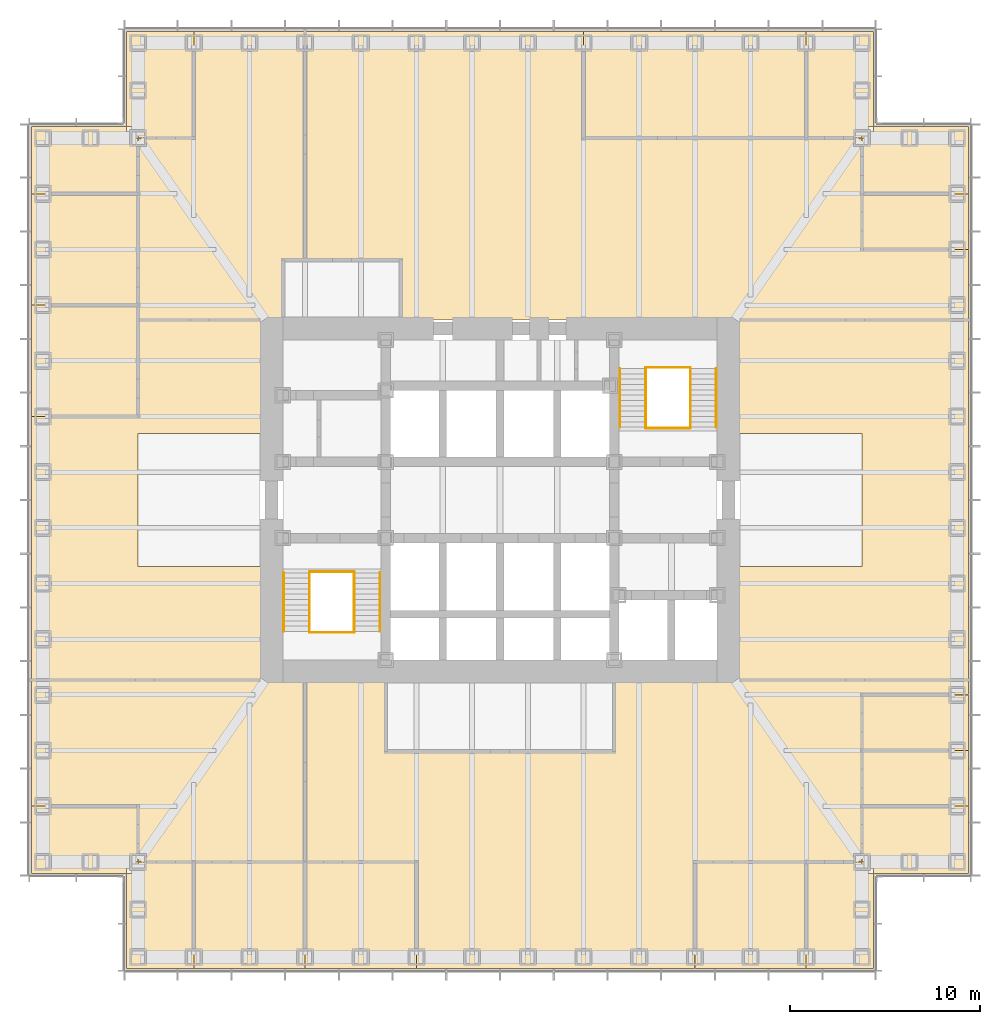
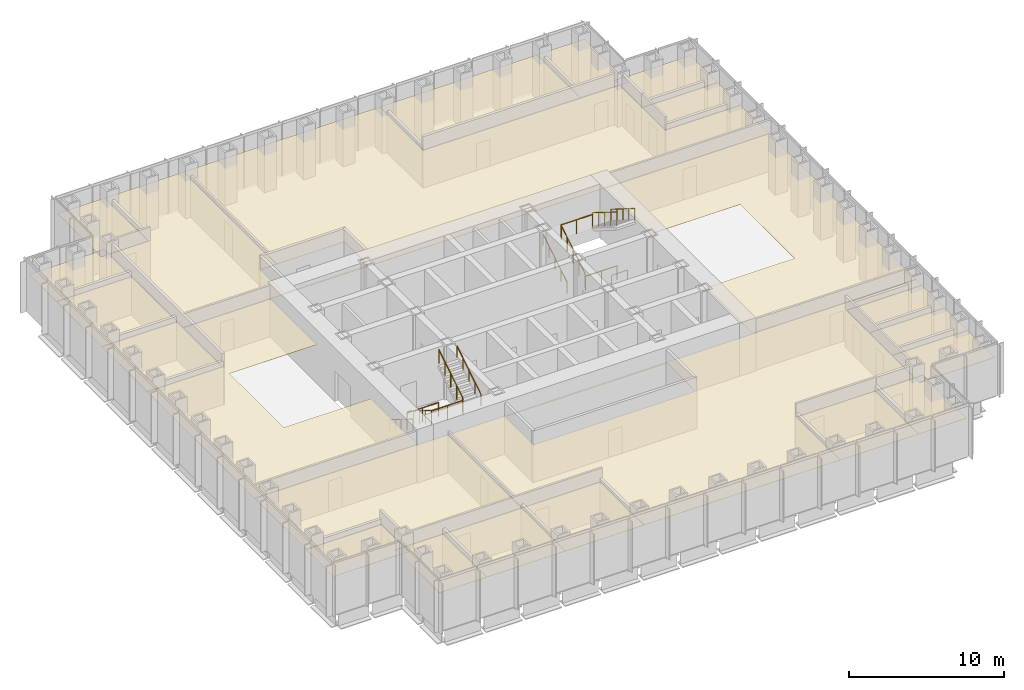
# One storey, part 17 of 17: 23 coverings, 12 railings.
"""IFC4 building model written with IfcOpenShell, lengths in metres."""

from ifc_helpers import new_model, si_unit, direction, frame, origin, origin_2d, place, context, subcontext, project, spatial, polyline, circle, outline, extrude, material, layer, layer_set, type_object, element, save


model = new_model("IFC4")

# Units and contexts
model_context = context("Model", 3, precision=1e-05, world=origin(), true_north=direction((0.0, 1.0)))
body_context = subcontext(model_context, "Body", "Model", "MODEL_VIEW")
ifc_project = project(units=[si_unit("LENGTHUNIT", "METRE"), si_unit("AREAUNIT", "SQUARE_METRE"), si_unit("VOLUMEUNIT", "CUBIC_METRE"), si_unit("PLANEANGLEUNIT", "RADIAN"), si_unit("MASSUNIT", "GRAM", prefix="KILO")], contexts=[model_context])

# Site, building, storey
site_placement = place(None, origin())
site = spatial("IfcSite", under=ifc_project, at=site_placement, CompositionType="ELEMENT")
building_placement = place(site_placement, origin())
building = spatial("IfcBuilding", under=site, at=building_placement, Name="Daluyong Arena Tower", CompositionType="ELEMENT")
storey_placement = place(building_placement, frame((0.0, 0.0, 85.300048828125)))
storey = spatial("IfcBuildingStorey", under=building, at=storey_placement, Name="L18", CompositionType="ELEMENT", Elevation=85.300048828125)

# Coverings
ifc_material_1 = material(Name="Mineral fibre ceiling tile", Category="gypsum board")
ifc_layer = layer(ifc_material_1, 0.02001953125)
ifc_layer_set = layer_set([ifc_layer], Name="Mineral fibre ceiling tile")
covering_type = type_object("IfcCoveringType", Name="Office ceiling", PredefinedType="CEILING", material=ifc_layer_set)
covering_1_placement = place(storey_placement, frame((0.0, 0.0, 2.89990234375)))
element("IfcCovering", 1, at=covering_1_placement, inside=storey, type_object=covering_type, Name="ceiling L18-01", PredefinedType="CEILING", context=body_context, shape_type="SweptSolid", body=[
    extrude(outline(polyline([(36.39990234375, 60.39990234375), (36.39990234375, 55.39990234375), (39.923095703125, 55.39990234375), (39.923095703125, 61.0), (37.0, 61.0), (37.0, 60.39990234375), (36.39990234375, 60.39990234375)])), origin(), (0.0, 0.0, 1.0), 0.02001953125),
])
covering_2_placement = place(storey_placement, frame((0.0, 0.0, 2.89990234375)))
element("IfcCovering", 2, at=covering_2_placement, inside=storey, type_object=covering_type, Name="ceiling L18-02", PredefinedType="CEILING", context=body_context, shape_type="SweptSolid", body=[
    extrude(outline(polyline([(39.923095703125, 61.0), (39.923095703125, 55.39990234375), (45.769287109375, 55.39990234375), (45.769287109375, 61.0), (39.923095703125, 61.0)])), origin(), (0.0, 0.0, 1.0), 0.02001953125),
])
covering_3_placement = place(storey_placement, frame((0.0, 0.0, 2.89990234375)))
element("IfcCovering", 3, at=covering_3_placement, inside=storey, type_object=covering_type, Name="ceiling L18-03", PredefinedType="CEILING", context=body_context, shape_type="SweptSolid", body=[
    extrude(outline(polyline([(45.769287109375, 61.0), (45.769287109375, 55.39990234375), (51.615478515625, 55.39990234375), (51.615478515625, 61.0), (45.769287109375, 61.0)])), origin(), (0.0, 0.0, 1.0), 0.02001953125),
])
covering_4_placement = place(storey_placement, frame((0.0, 0.0, 2.89990234375)))
element("IfcCovering", 4, at=covering_4_placement, inside=storey, type_object=covering_type, Name="ceiling L18-04", PredefinedType="CEILING", context=body_context, shape_type="SweptSolid", body=[
    extrude(outline(polyline([(66.230712890625, 61.0), (66.230712890625, 55.39990234375), (72.076904296875, 55.39990234375), (72.076904296875, 61.0), (66.230712890625, 61.0)])), origin(), (0.0, 0.0, 1.0), 0.02001953125),
])
covering_5_placement = place(storey_placement, frame((0.0, 0.0, 2.89990234375)))
element("IfcCovering", 5, at=covering_5_placement, inside=storey, type_object=covering_type, Name="ceiling L18-05", PredefinedType="CEILING", context=body_context, shape_type="SweptSolid", body=[
    extrude(outline(polyline([(75.60009765625, 55.39990234375), (75.60009765625, 60.39990234375), (75.0, 60.39990234375), (75.0, 61.0), (72.076904296875, 61.0), (72.076904296875, 55.39990234375), (75.60009765625, 55.39990234375)])), origin(), (0.0, 0.0, 1.0), 0.02001953125),
])
covering_6_placement = place(storey_placement, frame((0.0, 0.0, 2.89990234375)))
element("IfcCovering", 6, at=covering_6_placement, inside=storey, type_object=covering_type, Name="ceiling L18-06", PredefinedType="CEILING", context=body_context, shape_type="SweptSolid", body=[
    extrude(outline(polyline([(75.60009765625, 60.39990234375), (80.60009765625, 60.39990234375), (80.60009765625, 63.923095703125), (75.0, 63.923095703125), (75.0, 61.0), (75.60009765625, 61.0), (75.60009765625, 60.39990234375)])), origin(), (0.0, 0.0, 1.0), 0.02001953125),
])
covering_7_placement = place(storey_placement, frame((0.0, 0.0, 2.89990234375)))
element("IfcCovering", 7, at=covering_7_placement, inside=storey, type_object=covering_type, Name="ceiling L18-07", PredefinedType="CEILING", context=body_context, shape_type="SweptSolid", body=[
    extrude(outline(polyline([(75.0, 63.923095703125), (80.60009765625, 63.923095703125), (80.60009765625, 66.84619140625), (75.0, 66.84619140625), (75.0, 63.923095703125)])), origin(), (0.0, 0.0, 1.0), 0.02001953125),
])
covering_8_placement = place(storey_placement, frame((0.0, 0.0, 2.89990234375)))
element("IfcCovering", 8, at=covering_8_placement, inside=storey, type_object=covering_type, Name="ceiling L18-08", PredefinedType="CEILING", context=body_context, shape_type="SweptSolid", body=[
    extrude(outline(polyline([(75.0, 66.84619140625), (80.60009765625, 66.84619140625), (80.60009765625, 69.769287109375), (75.0, 69.769287109375), (75.0, 66.84619140625)])), origin(), (0.0, 0.0, 1.0), 0.02001953125),
])
covering_9_placement = place(storey_placement, frame((0.0, 0.0, 2.89990234375)))
element("IfcCovering", 9, at=covering_9_placement, inside=storey, type_object=covering_type, Name="ceiling L18-09", PredefinedType="CEILING", context=body_context, shape_type="SweptSolid", body=[
    extrude(outline(polyline([(75.0, 93.15380859375), (80.60009765625, 93.15380859375), (80.60009765625, 96.076904296875), (75.0, 96.076904296875), (75.0, 93.15380859375)])), origin(), (0.0, 0.0, 1.0), 0.02001953125),
])
covering_10_placement = place(storey_placement, frame((0.0, 0.0, 2.89990234375)))
element("IfcCovering", 10, at=covering_10_placement, inside=storey, type_object=covering_type, Name="ceiling L18-10", PredefinedType="CEILING", context=body_context, shape_type="SweptSolid", body=[
    extrude(outline(polyline([(75.0, 96.076904296875), (80.60009765625, 96.076904296875), (80.60009765625, 99.60009765625), (75.60009765625, 99.60009765625), (75.60009765625, 99.0), (75.0, 99.0), (75.0, 96.076904296875)])), origin(), (0.0, 0.0, 1.0), 0.02001953125),
])
covering_11_placement = place(storey_placement, frame((0.0, 0.0, 2.89990234375)))
element("IfcCovering", 11, at=covering_11_placement, inside=storey, type_object=covering_type, Name="ceiling L18-11", PredefinedType="CEILING", context=body_context, shape_type="SweptSolid", body=[
    extrude(outline(polyline([(39.923095703125, 99.0), (39.923095703125, 104.60009765625), (36.39990234375, 104.60009765625), (36.39990234375, 99.60009765625), (37.0, 99.60009765625), (37.0, 99.0), (39.923095703125, 99.0)])), origin(), (0.0, 0.0, 1.0), 0.02001953125),
])
covering_12_placement = place(storey_placement, frame((0.0, 0.0, 2.89990234375)))
element("IfcCovering", 12, at=covering_12_placement, inside=storey, type_object=covering_type, Name="ceiling L18-12", PredefinedType="CEILING", context=body_context, shape_type="SweptSolid", body=[
    extrude(outline(polyline([(72.076904296875, 99.0), (72.076904296875, 104.60009765625), (60.384521484375, 104.60009765625), (60.384521484375, 99.0), (72.076904296875, 99.0)])), origin(), (0.0, 0.0, 1.0), 0.02001953125),
])
covering_13_placement = place(storey_placement, frame((0.0, 0.0, 2.89990234375)))
element("IfcCovering", 13, at=covering_13_placement, inside=storey, type_object=covering_type, Name="ceiling L18-13", PredefinedType="CEILING", context=body_context, shape_type="SweptSolid", body=[
    extrude(outline(polyline([(72.076904296875, 99.0), (75.0, 99.0), (75.0, 99.60009765625), (75.60009765625, 99.60009765625), (75.60009765625, 104.60009765625), (72.076904296875, 104.60009765625), (72.076904296875, 99.0)])), origin(), (0.0, 0.0, 1.0), 0.02001953125),
])
covering_14_placement = place(storey_placement, frame((0.0, 0.0, 2.89990234375)))
element("IfcCovering", 14, at=covering_14_placement, inside=storey, type_object=covering_type, Name="ceiling L18-14", PredefinedType="CEILING", context=body_context, shape_type="SweptSolid", body=[
    extrude(outline(polyline([(31.39990234375, 60.39990234375), (36.39990234375, 60.39990234375), (36.39990234375, 61.0), (37.0, 61.0), (37.0, 63.923095703125), (31.39990234375, 63.923095703125), (31.39990234375, 60.39990234375)])), origin(), (0.0, 0.0, 1.0), 0.02001953125),
])
covering_15_placement = place(storey_placement, frame((0.0, 0.0, 2.89990234375)))
element("IfcCovering", 15, at=covering_15_placement, inside=storey, type_object=covering_type, Name="ceiling L18-15", PredefinedType="CEILING", context=body_context, shape_type="SweptSolid", body=[
    extrude(outline(polyline([(37.0, 90.230712890625), (31.39990234375, 90.230712890625), (31.39990234375, 84.384521484375), (37.0, 84.384521484375), (37.0, 90.230712890625)])), origin(), (0.0, 0.0, 1.0), 0.02001953125),
])
covering_16_placement = place(storey_placement, frame((0.0, 0.0, 2.89990234375)))
element("IfcCovering", 16, at=covering_16_placement, inside=storey, type_object=covering_type, Name="ceiling L18-16", PredefinedType="CEILING", context=body_context, shape_type="SweptSolid", body=[
    extrude(outline(polyline([(37.0, 96.076904296875), (31.39990234375, 96.076904296875), (31.39990234375, 90.230712890625), (37.0, 90.230712890625), (37.0, 96.076904296875)])), origin(), (0.0, 0.0, 1.0), 0.02001953125),
])
covering_17_placement = place(storey_placement, frame((0.0, 0.0, 2.89990234375)))
element("IfcCovering", 17, at=covering_17_placement, inside=storey, type_object=covering_type, Name="ceiling L18-17", PredefinedType="CEILING", context=body_context, shape_type="SweptSolid", body=[
    extrude(outline(polyline([(37.0, 96.076904296875), (37.0, 99.0), (36.39990234375, 99.0), (36.39990234375, 99.60009765625), (31.39990234375, 99.60009765625), (31.39990234375, 96.076904296875), (37.0, 96.076904296875)])), origin(), (0.0, 0.0, 1.0), 0.02001953125),
])
covering_18_placement = place(storey_placement, frame((0.0, 0.0, 2.89990234375)))
element("IfcCovering", 18, at=covering_18_placement, inside=storey, type_object=covering_type, Name="ceiling L18-22", PredefinedType="CEILING", context=body_context, shape_type="SweptSolid", body=[
    extrude(outline(polyline([(80.60009765625, 70.550048828125), (80.60009765625, 89.449951171875), (68.449951171875, 89.449951171875), (68.449951171875, 83.5), (75.0, 83.5), (75.0, 76.5), (68.449951171875, 76.5), (68.449951171875, 70.550048828125), (80.60009765625, 70.550048828125)])), origin(), (0.0, 0.0, 1.0), 0.02001953125),
])
covering_19_placement = place(storey_placement, frame((0.0, 0.0, 2.89990234375)))
element("IfcCovering", 19, at=covering_19_placement, inside=storey, type_object=covering_type, Name="ceiling L18-23", PredefinedType="CEILING", context=body_context, shape_type="SweptSolid", body=[
    extrude(outline(polyline([(31.39990234375, 84.384521484375), (31.39990234375, 70.550048828125), (43.550048828125, 70.550048828125), (43.550048828125, 76.5), (37.0, 76.5), (37.0, 83.5), (43.550048828125, 83.5), (43.550048828125, 89.449951171875), (37.0, 89.449951171875), (37.0, 84.384521484375), (31.39990234375, 84.384521484375)])), origin(), (0.0, 0.0, 1.0), 0.02001953125),
])
covering_20_placement = place(storey_placement, frame((0.0, 0.0, 2.89990234375)))
element("IfcCovering", 20, at=covering_20_placement, inside=storey, type_object=covering_type, Name="ceiling L18-24", PredefinedType="CEILING", context=body_context, shape_type="SweptSolid", body=[
    extrude(outline(polyline([(37.010009765625, 61.010009765625), (45.75927734375, 61.010009765625), (45.75927734375, 70.5400390625), (31.409912109375, 70.5400390625), (31.409912109375, 63.93310546875), (37.010009765625, 63.93310546875), (37.010009765625, 61.010009765625)])), origin(), (0.0, 0.0, 1.0), 0.02001953125),
])
covering_21_placement = place(storey_placement, frame((0.0, 0.0, 2.89990234375)))
element("IfcCovering", 21, at=covering_21_placement, inside=storey, type_object=covering_type, Name="ceiling L18-25", PredefinedType="CEILING", context=body_context, shape_type="SweptSolid", body=[
    extrude(outline(polyline([(74.989990234375, 61.010009765625), (74.989990234375, 69.779296875), (80.590087890625, 69.779296875), (80.590087890625, 70.5400390625), (45.779296875, 70.5400390625), (45.779296875, 61.010009765625), (51.62548828125, 61.010009765625), (51.62548828125, 55.409912109375), (66.220703125, 55.409912109375), (66.220703125, 61.010009765625), (74.989990234375, 61.010009765625)]), holes=[polyline([(62.010009765625, 66.7900390625), (49.989990234375, 66.7900390625), (49.989990234375, 70.409912109375), (62.010009765625, 70.409912109375), (62.010009765625, 66.7900390625)])]), origin(), (0.0, 0.0, 1.0), 0.02001953125),
])
covering_22_placement = place(storey_placement, frame((0.0, 0.0, 2.89990234375)))
element("IfcCovering", 22, at=covering_22_placement, inside=storey, type_object=covering_type, Name="ceiling L18-26", PredefinedType="CEILING", context=body_context, shape_type="SweptSolid", body=[
    extrude(outline(polyline([(37.010009765625, 98.989990234375), (37.010009765625, 89.4599609375), (45.75927734375, 89.4599609375), (45.75927734375, 89.590087890625), (44.590087890625, 89.590087890625), (44.590087890625, 92.610107421875), (45.75927734375, 92.610107421875), (45.75927734375, 104.590087890625), (39.93310546875, 104.590087890625), (39.93310546875, 98.989990234375), (37.010009765625, 98.989990234375)])), origin(), (0.0, 0.0, 1.0), 0.02001953125),
])
covering_23_placement = place(storey_placement, frame((0.0, 0.0, 2.89990234375)))
element("IfcCovering", 23, at=covering_23_placement, inside=storey, type_object=covering_type, Name="ceiling L18-27", PredefinedType="CEILING", context=body_context, shape_type="SweptSolid", body=[
    extrude(outline(polyline([(60.37451171875, 98.989990234375), (60.37451171875, 104.590087890625), (45.779296875, 104.590087890625), (45.779296875, 92.610107421875), (50.81005859375, 92.610107421875), (50.81005859375, 89.590087890625), (45.779296875, 89.590087890625), (45.779296875, 89.4599609375), (80.590087890625, 89.4599609375), (80.590087890625, 93.143798828125), (74.989990234375, 93.143798828125), (74.989990234375, 98.989990234375), (60.37451171875, 98.989990234375)])), origin(), (0.0, 0.0, 1.0), 0.02001953125),
])

# Railings
ifc_material_2 = material(Name="Stainless steel handrail", Category="steel")
railing_type_1 = type_object("IfcRailingType", Name="Stair handrail", PredefinedType="HANDRAIL", material=ifc_material_2)
railing_1_placement = place(storey_placement, frame((44.64990234375, 76.175048828125, 0.175048828125)))
element("IfcRailing", 24, at=railing_1_placement, inside=storey, type_object=railing_type_1, Name="exit stair A handrail L18", PredefinedType="HANDRAIL", context=body_context, shape_type="SweptSolid", body=[
    extrude(circle(Radius=0.02392578125, at=origin_2d()), frame((0.0, 0.0, 0.8759765625), z_axis=(0.0, -0.848028513186, 0.529950602248), x_axis=(1.0, 0.0, 0.0)), (0.0, 0.0, 1.0), 3.632080078125),
    extrude(circle(Radius=0.02099609375, at=origin_2d()), origin(), (0.0, 0.0, 1.0), 0.851806640625),
    extrude(circle(Radius=0.02099609375, at=origin_2d()), frame((0.0, -0.77001953125, 0.481201171875)), (0.0, 0.0, 1.0), 0.851806640625),
    extrude(circle(Radius=0.02099609375, at=origin_2d()), frame((0.0, -1.5400390625, 0.96240234375)), (0.0, 0.0, 1.0), 0.851806640625),
    extrude(circle(Radius=0.02099609375, at=origin_2d()), frame((0.0, -2.31005859375, 1.443603515625)), (0.0, 0.0, 1.0), 0.851806640625),
    extrude(circle(Radius=0.02099609375, at=origin_2d()), frame((0.0, -3.080078125, 1.9248046875)), (0.0, 0.0, 1.0), 0.851806640625),
])
railing_2_placement = place(storey_placement, frame((49.699951171875, 73.094970703125, 2.27490234375)))
element("IfcRailing", 25, at=railing_2_placement, inside=storey, type_object=railing_type_1, Name="exit stair A handrail L18", PredefinedType="HANDRAIL", context=body_context, shape_type="SweptSolid", body=[
    extrude(circle(Radius=0.02392578125, at=origin_2d()), frame((0.0, 0.0, 0.8759765625), z_axis=(0.0, 0.847998304005, 0.529998940003), x_axis=(-1.0, 0.0, 0.0)), (0.0, 0.0, 1.0), 3.632080078125),
    extrude(circle(Radius=0.02099609375, at=origin_2d()), origin(), (0.0, 0.0, 1.0), 0.851806640625),
    extrude(circle(Radius=0.02099609375, at=origin_2d()), frame((0.0, 0.77001953125, 0.481201171875)), (0.0, 0.0, 1.0), 0.851806640625),
    extrude(circle(Radius=0.02099609375, at=origin_2d()), frame((0.0, 1.5400390625, 0.96240234375)), (0.0, 0.0, 1.0), 0.851806640625),
    extrude(circle(Radius=0.02099609375, at=origin_2d()), frame((0.0, 2.31005859375, 1.44384765625)), (0.0, 0.0, 1.0), 0.851806640625),
    extrude(circle(Radius=0.02099609375, at=origin_2d()), frame((0.0, 3.080078125, 1.925048828125)), (0.0, 0.0, 1.0), 0.851806640625),
])
railing_3_placement = place(storey_placement, frame((62.300048828125, 83.824951171875, 0.175048828125)))
element("IfcRailing", 26, at=railing_3_placement, inside=storey, type_object=railing_type_1, Name="exit stair B handrail L18", PredefinedType="HANDRAIL", context=body_context, shape_type="SweptSolid", body=[
    extrude(circle(Radius=0.02392578125, at=origin_2d()), frame((0.0, 0.0, 0.8759765625), z_axis=(0.0, 0.848028513186, 0.529950602248), x_axis=(-1.0, 0.0, 0.0)), (0.0, 0.0, 1.0), 3.632080078125),
    extrude(circle(Radius=0.02099609375, at=origin_2d()), origin(), (0.0, 0.0, 1.0), 0.851806640625),
    extrude(circle(Radius=0.02099609375, at=origin_2d()), frame((0.0, 0.77001953125, 0.481201171875)), (0.0, 0.0, 1.0), 0.851806640625),
    extrude(circle(Radius=0.02099609375, at=origin_2d()), frame((0.0, 1.5400390625, 0.96240234375)), (0.0, 0.0, 1.0), 0.851806640625),
    extrude(circle(Radius=0.02099609375, at=origin_2d()), frame((0.0, 2.31005859375, 1.443603515625)), (0.0, 0.0, 1.0), 0.851806640625),
    extrude(circle(Radius=0.02099609375, at=origin_2d()), frame((0.0, 3.080078125, 1.9248046875)), (0.0, 0.0, 1.0), 0.851806640625),
])
railing_4_placement = place(storey_placement, frame((67.35009765625, 86.905029296875, 2.27490234375)))
element("IfcRailing", 27, at=railing_4_placement, inside=storey, type_object=railing_type_1, Name="exit stair B handrail L18", PredefinedType="HANDRAIL", context=body_context, shape_type="SweptSolid", body=[
    extrude(circle(Radius=0.02392578125, at=origin_2d()), frame((0.0, 0.0, 0.8759765625), z_axis=(0.0, -0.847998304005, 0.529998940003), x_axis=(1.0, 0.0, 0.0)), (0.0, 0.0, 1.0), 3.632080078125),
    extrude(circle(Radius=0.02099609375, at=origin_2d()), origin(), (0.0, 0.0, 1.0), 0.851806640625),
    extrude(circle(Radius=0.02099609375, at=origin_2d()), frame((0.0, -0.77001953125, 0.481201171875)), (0.0, 0.0, 1.0), 0.851806640625),
    extrude(circle(Radius=0.02099609375, at=origin_2d()), frame((0.0, -1.5400390625, 0.96240234375)), (0.0, 0.0, 1.0), 0.851806640625),
    extrude(circle(Radius=0.02099609375, at=origin_2d()), frame((0.0, -2.31005859375, 1.44384765625)), (0.0, 0.0, 1.0), 0.851806640625),
    extrude(circle(Radius=0.02099609375, at=origin_2d()), frame((0.0, -3.080078125, 1.925048828125)), (0.0, 0.0, 1.0), 0.851806640625),
])
ifc_material_3 = material(Name="Steel balustrade", Category="steel")
railing_type_2 = type_object("IfcRailingType", Name="Stair well guard 1100", PredefinedType="GUARDRAIL", material=ifc_material_3)
railing_5_placement = place(storey_placement, frame((46.0, 76.175048828125, 0.175048828125)))
element("IfcRailing", 28, at=railing_5_placement, inside=storey, type_object=railing_type_2, Name="exit stair A well guard L18", PredefinedType="GUARDRAIL", context=body_context, shape_type="SweptSolid", body=[
    extrude(circle(Radius=0.02392578125, at=origin_2d()), frame((0.0, 0.0, 1.076171875), z_axis=(0.0, -0.848028513186, 0.529950602248), x_axis=(1.0, 0.0, 0.0)), (0.0, 0.0, 1.0), 3.632080078125),
    extrude(circle(Radius=0.02099609375, at=origin_2d()), origin(), (0.0, 0.0, 1.0), 1.052001953125),
    extrude(circle(Radius=0.02099609375, at=origin_2d()), frame((0.0, -0.77001953125, 0.481201171875)), (0.0, 0.0, 1.0), 1.052001953125),
    extrude(circle(Radius=0.02099609375, at=origin_2d()), frame((0.0, -1.5400390625, 0.96240234375)), (0.0, 0.0, 1.0), 1.052001953125),
    extrude(circle(Radius=0.02099609375, at=origin_2d()), frame((0.0, -2.31005859375, 1.443603515625)), (0.0, 0.0, 1.0), 1.052001953125),
    extrude(circle(Radius=0.02099609375, at=origin_2d()), frame((0.0, -3.080078125, 1.9248046875)), (0.0, 0.0, 1.0), 1.052001953125),
])
railing_6_placement = place(storey_placement, frame((48.35009765625, 73.094970703125, 2.27490234375)))
element("IfcRailing", 29, at=railing_6_placement, inside=storey, type_object=railing_type_2, Name="exit stair A well guard L18", PredefinedType="GUARDRAIL", context=body_context, shape_type="SweptSolid", body=[
    extrude(circle(Radius=0.02392578125, at=origin_2d()), frame((0.0, 0.0, 1.076171875), z_axis=(0.0, 0.847998304005, 0.529998940003), x_axis=(-1.0, 0.0, 0.0)), (0.0, 0.0, 1.0), 3.632080078125),
    extrude(circle(Radius=0.02099609375, at=origin_2d()), origin(), (0.0, 0.0, 1.0), 1.052001953125),
    extrude(circle(Radius=0.02099609375, at=origin_2d()), frame((0.0, 0.77001953125, 0.481201171875)), (0.0, 0.0, 1.0), 1.052001953125),
    extrude(circle(Radius=0.02099609375, at=origin_2d()), frame((0.0, 1.5400390625, 0.96240234375)), (0.0, 0.0, 1.0), 1.052001953125),
    extrude(circle(Radius=0.02099609375, at=origin_2d()), frame((0.0, 2.31005859375, 1.44384765625)), (0.0, 0.0, 1.0), 1.052001953125),
    extrude(circle(Radius=0.02099609375, at=origin_2d()), frame((0.0, 3.080078125, 1.925048828125)), (0.0, 0.0, 1.0), 1.052001953125),
])
for number, where, name in (
    (30, (46.0, 73.044921875, 2.099853515625), "exit stair A landing guard L18"),
    (31, (46.0, 76.22509765625, 0.0), "exit stair A floor landing guard L18"),
):
    element("IfcRailing", number, at=place(storey_placement, frame(where)), inside=storey, type_object=railing_type_2, Name=name, PredefinedType="GUARDRAIL", context=body_context, shape_type="SweptSolid", body=[
        extrude(circle(Radius=0.02392578125, at=origin_2d()), frame((0.0, 0.0, 1.076171875), z_axis=(1.0, 0.0, 0.0), x_axis=(0.0, 1.0, 0.0)), (0.0, 0.0, 1.0), 2.35009765625),
        extrude(circle(Radius=0.02099609375, at=origin_2d()), origin(), (0.0, 0.0, 1.0), 1.052001953125),
        extrude(circle(Radius=0.02099609375, at=origin_2d()), frame((1.175048828125, 0.0, 0.0)), (0.0, 0.0, 1.0), 1.052001953125),
        extrude(circle(Radius=0.02099609375, at=origin_2d()), frame((2.35009765625, 0.0, 0.0)), (0.0, 0.0, 1.0), 1.052001953125),
    ])
railing_7_placement = place(storey_placement, frame((63.64990234375, 83.824951171875, 0.175048828125)))
element("IfcRailing", 32, at=railing_7_placement, inside=storey, type_object=railing_type_2, Name="exit stair B well guard L18", PredefinedType="GUARDRAIL", context=body_context, shape_type="SweptSolid", body=[
    extrude(circle(Radius=0.02392578125, at=origin_2d()), frame((0.0, 0.0, 1.076171875), z_axis=(0.0, 0.848028513186, 0.529950602248), x_axis=(-1.0, 0.0, 0.0)), (0.0, 0.0, 1.0), 3.632080078125),
    extrude(circle(Radius=0.02099609375, at=origin_2d()), origin(), (0.0, 0.0, 1.0), 1.052001953125),
    extrude(circle(Radius=0.02099609375, at=origin_2d()), frame((0.0, 0.77001953125, 0.481201171875)), (0.0, 0.0, 1.0), 1.052001953125),
    extrude(circle(Radius=0.02099609375, at=origin_2d()), frame((0.0, 1.5400390625, 0.96240234375)), (0.0, 0.0, 1.0), 1.052001953125),
    extrude(circle(Radius=0.02099609375, at=origin_2d()), frame((0.0, 2.31005859375, 1.443603515625)), (0.0, 0.0, 1.0), 1.052001953125),
    extrude(circle(Radius=0.02099609375, at=origin_2d()), frame((0.0, 3.080078125, 1.9248046875)), (0.0, 0.0, 1.0), 1.052001953125),
])
railing_8_placement = place(storey_placement, frame((66.0, 86.905029296875, 2.27490234375)))
element("IfcRailing", 33, at=railing_8_placement, inside=storey, type_object=railing_type_2, Name="exit stair B well guard L18", PredefinedType="GUARDRAIL", context=body_context, shape_type="SweptSolid", body=[
    extrude(circle(Radius=0.02392578125, at=origin_2d()), frame((0.0, 0.0, 1.076171875), z_axis=(0.0, -0.847998304005, 0.529998940003), x_axis=(1.0, 0.0, 0.0)), (0.0, 0.0, 1.0), 3.632080078125),
    extrude(circle(Radius=0.02099609375, at=origin_2d()), origin(), (0.0, 0.0, 1.0), 1.052001953125),
    extrude(circle(Radius=0.02099609375, at=origin_2d()), frame((0.0, -0.77001953125, 0.481201171875)), (0.0, 0.0, 1.0), 1.052001953125),
    extrude(circle(Radius=0.02099609375, at=origin_2d()), frame((0.0, -1.5400390625, 0.96240234375)), (0.0, 0.0, 1.0), 1.052001953125),
    extrude(circle(Radius=0.02099609375, at=origin_2d()), frame((0.0, -2.31005859375, 1.44384765625)), (0.0, 0.0, 1.0), 1.052001953125),
    extrude(circle(Radius=0.02099609375, at=origin_2d()), frame((0.0, -3.080078125, 1.925048828125)), (0.0, 0.0, 1.0), 1.052001953125),
])
for number, where, name in (
    (34, (63.64990234375, 86.955078125, 2.099853515625), "exit stair B landing guard L18"),
    (35, (63.64990234375, 83.77490234375, 0.0), "exit stair B floor landing guard L18"),
):
    element("IfcRailing", number, at=place(storey_placement, frame(where)), inside=storey, type_object=railing_type_2, Name=name, PredefinedType="GUARDRAIL", context=body_context, shape_type="SweptSolid", body=[
        extrude(circle(Radius=0.02392578125, at=origin_2d()), frame((0.0, 0.0, 1.076171875), z_axis=(1.0, 0.0, 0.0), x_axis=(0.0, 1.0, 0.0)), (0.0, 0.0, 1.0), 2.35009765625),
        extrude(circle(Radius=0.02099609375, at=origin_2d()), origin(), (0.0, 0.0, 1.0), 1.052001953125),
        extrude(circle(Radius=0.02099609375, at=origin_2d()), frame((1.175048828125, 0.0, 0.0)), (0.0, 0.0, 1.0), 1.052001953125),
        extrude(circle(Radius=0.02099609375, at=origin_2d()), frame((2.35009765625, 0.0, 0.0)), (0.0, 0.0, 1.0), 1.052001953125),
    ])

save(model, "model.ifc")
